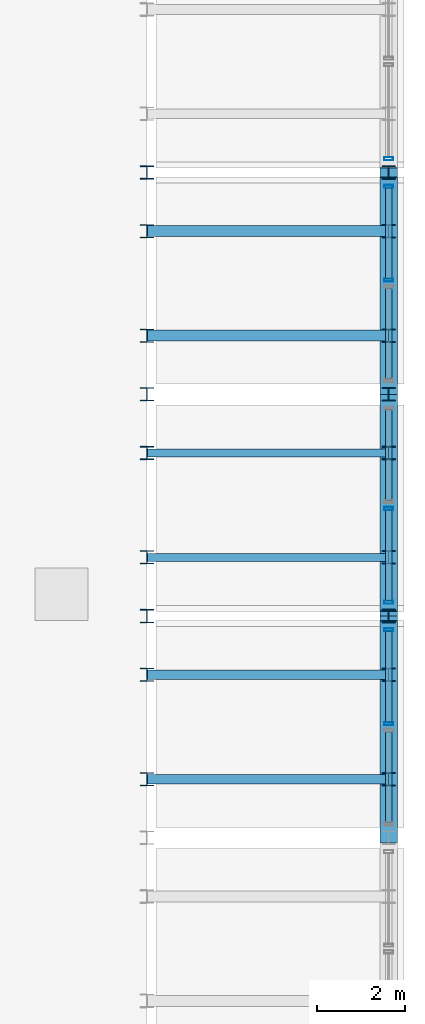
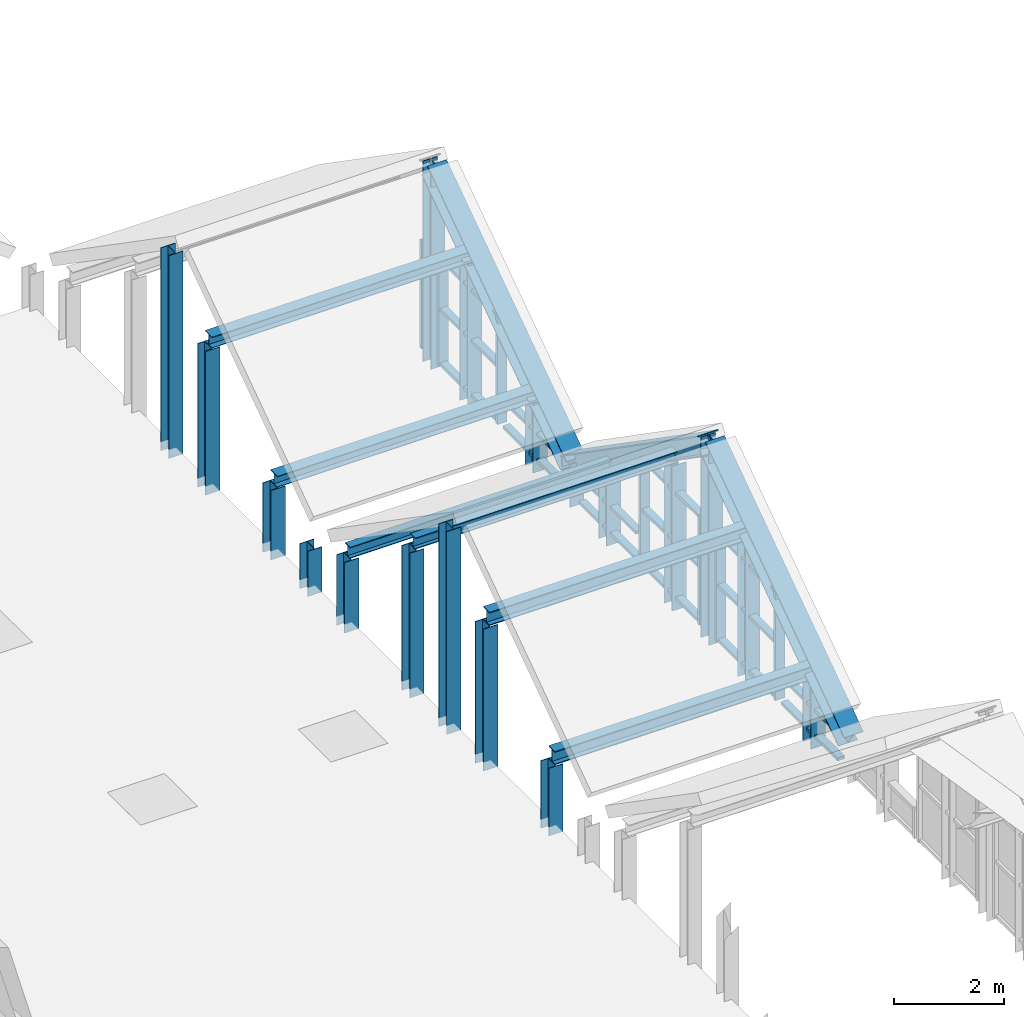
# One storey, part 7 of 21: 49 members, 7 elements without a shape of their own.
"""IFC4 building model written with IfcOpenShell, lengths in metres."""

from ifc_helpers import new_model, si_unit, direction, frame, origin, origin_2d, place, context, subcontext, project, spatial, hollow_rectangle, i_section, extrude, source, transform, mapped, material, layer, layer_set, material_profile, profile_set, type_object, element, aggregate, save


model = new_model("IFC4")

# Units and contexts
model_context = context("Model", 3, precision=1e-05, world=origin(), true_north=direction((0.0, 1.0)))
body_context = subcontext(model_context, "Body", "Model", "MODEL_VIEW")
ifc_project = project(units=[si_unit("LENGTHUNIT", "METRE"), si_unit("AREAUNIT", "SQUARE_METRE"), si_unit("VOLUMEUNIT", "CUBIC_METRE"), si_unit("PLANEANGLEUNIT", "RADIAN"), si_unit("MASSUNIT", "GRAM", prefix="KILO")], contexts=[model_context])

# Site, building, storey
site_placement = place(None, origin())
site = spatial("IfcSite", under=ifc_project, at=site_placement, CompositionType="ELEMENT")
building_placement = place(site_placement, origin())
building = spatial("IfcBuilding", under=site, at=building_placement, Name="Saelheon Loggia Tower", CompositionType="ELEMENT")
storey_placement = place(building_placement, frame((0.0, 0.0, 275.0)))
storey = spatial("IfcBuildingStorey", under=building, at=storey_placement, Name="ROOF", CompositionType="ELEMENT", Elevation=275.0)

# Members
ifc_material_1 = material(Name="Steel SM355", Category="steel")
ifc_material_profile_1 = material_profile(ifc_material_1, i_section(OverallWidth=0.300048828125, OverallDepth=0.300048828125, WebThickness=0.010009765625, FlangeThickness=0.014892578125, at=origin_2d()), Name="H-300x300x10x15")
ifc_profile_set_1 = profile_set([ifc_material_profile_1], Name="Steel SM355")
member_type_1 = type_object("IfcMemberType", Name="WaveCrest_Post_H300", PredefinedType="POST", material=ifc_profile_set_1)
shared_shape_1 = source(origin(), body_context, "Body", "SweptSolid", [
    extrude(i_section(OverallWidth=0.300048828125, OverallDepth=0.300048828125, WebThickness=0.010009765625, FlangeThickness=0.014892578125, at=origin_2d()), origin(), (0.0, 0.0, 1.0), 0.949951171875),
])
member_1_placement = place(storey_placement, frame((52.64990234375, 32.050048828125, -0.14990234375), z_axis=(0.0, 0.0, 1.0), x_axis=(1.0, 0.0, 0.0)))
element("IfcMember", 1, at=member_1_placement, inside=storey, type_object=member_type_1, Name="ROOF Wave Crest Outer Post E 04", PredefinedType="POST", context=body_context, shape_type="MappedRepresentation", body=[
    mapped(shared_shape_1, transform((0.0, 0.0, 0.0), scale=1.0)),
])
ifc_material_profile_2 = material_profile(ifc_material_1, i_section(OverallWidth=0.300048828125, OverallDepth=0.300048828125, WebThickness=0.010009765625, FlangeThickness=0.014892578125, at=origin_2d()), Name="H-300x300x10x15")
ifc_profile_set_2 = profile_set([ifc_material_profile_2], Name="Steel SM355")
member_type_2 = type_object("IfcMemberType", Name="Belt_Post_H300", PredefinedType="POST", material=ifc_profile_set_2)
shared_shape_2 = source(origin(), body_context, "Body", "SweptSolid", [
    extrude(i_section(OverallWidth=0.300048828125, OverallDepth=0.300048828125, WebThickness=0.010009765625, FlangeThickness=0.014892578125, at=origin_2d()), origin(), (0.0, 0.0, 1.0), 1.0),
])
member_2_placement = place(storey_placement, frame((47.14990234375, 32.050048828125, -0.199951171875), z_axis=(0.0, 0.0, 1.0), x_axis=(1.0, 0.0, 0.0)))
element("IfcMember", 2, at=member_2_placement, inside=storey, type_object=member_type_2, Name="ROOF Wave Crest Inner Post E 04", PredefinedType="POST", context=body_context, shape_type="MappedRepresentation", body=[
    mapped(shared_shape_2, transform((0.0, 0.0, 0.0), scale=1.0)),
])
shared_shape_3 = source(origin(), body_context, "Body", "SweptSolid", [
    extrude(i_section(OverallWidth=0.300048828125, OverallDepth=0.300048828125, WebThickness=0.010009765625, FlangeThickness=0.014892578125, at=origin_2d()), origin(), (0.0, 0.0, 1.0), 4.449951171875),
])
for number, where, z_axis, x_axis, name in (
    (3, (52.64990234375, 27.0, -0.14990234375), (0.0, 0.0, 1.0), (1.0, 0.0, 0.0), "ROOF Wave Crest Outer Post E 03"),
    (4, (52.64990234375, 37.10009765625, -0.14990234375), (0.0, 0.0, 1.0), (1.0, 0.0, 0.0), "ROOF Wave Crest Outer Post E 05"),
):
    element("IfcMember", number, at=place(storey_placement, frame(where, z_axis=z_axis, x_axis=x_axis)), inside=storey, type_object=member_type_1, Name=name, PredefinedType="POST", context=body_context, shape_type="MappedRepresentation", body=[
        mapped(shared_shape_3, transform((0.0, 0.0, 0.0), scale=1.0)),
    ])
shared_shape_4 = source(origin(), body_context, "Body", "SweptSolid", [
    extrude(i_section(OverallWidth=0.300048828125, OverallDepth=0.300048828125, WebThickness=0.010009765625, FlangeThickness=0.014892578125, at=origin_2d()), origin(), (0.0, 0.0, 1.0), 4.5),
])
for number, where, z_axis, x_axis, name in (
    (5, (47.14990234375, 27.0, -0.199951171875), (0.0, 0.0, 1.0), (1.0, 0.0, 0.0), "ROOF Wave Crest Inner Post E 03"),
    (6, (47.14990234375, 37.10009765625, -0.199951171875), (0.0, 0.0, 1.0), (1.0, 0.0, 0.0), "ROOF Wave Crest Inner Post E 05"),
):
    element("IfcMember", number, at=place(storey_placement, frame(where, z_axis=z_axis, x_axis=x_axis)), inside=storey, type_object=member_type_2, Name=name, PredefinedType="POST", context=body_context, shape_type="MappedRepresentation", body=[
        mapped(shared_shape_4, transform((0.0, 0.0, 0.0), scale=1.0)),
    ])
ifc_material_profile_3 = material_profile(ifc_material_1, i_section(OverallWidth=0.179931640625, OverallDepth=0.25, WebThickness=0.010009765625, FlangeThickness=0.01611328125, at=origin_2d()), Name="H-250x180x10x16")
ifc_profile_set_3 = profile_set([ifc_material_profile_3], Name="Steel SM355")
member_type_3 = type_object("IfcMemberType", Name="Roof_Purlin_RHS250", PredefinedType="PURLIN", material=ifc_profile_set_3)
shared_shape_5 = source(origin(), body_context, "Body", "SweptSolid", [
    extrude(i_section(OverallWidth=0.179931640625, OverallDepth=0.25, WebThickness=0.010009765625, FlangeThickness=0.01611328125, at=origin_2d()), origin(), (0.0, 0.0, 1.0), 5.5),
])
for number, where, z_axis, x_axis, name in (
    (7, (52.64990234375, 28.3369140625, 3.135986328125), (-1.0, 0.0, 0.0), (0.0, -1.0, 0.0), "Crown Wave Roof Purlin 10 A"),
    (8, (52.64990234375, 30.713134765625, 1.489013671875), (-1.0, 0.0, 0.0), (0.0, -1.0, 0.0), "Crown Wave Roof Purlin 10 B"),
):
    element("IfcMember", number, at=place(storey_placement, frame(where, z_axis=z_axis, x_axis=x_axis)), inside=storey, type_object=member_type_3, Name=name, PredefinedType="PURLIN", context=body_context, shape_type="MappedRepresentation", body=[
        mapped(shared_shape_5, transform((0.0, 0.0, 0.0), scale=1.0)),
    ])
shared_shape_6 = source(origin(), body_context, "Body", "SweptSolid", [
    extrude(i_section(OverallWidth=0.300048828125, OverallDepth=0.300048828125, WebThickness=0.010009765625, FlangeThickness=0.014892578125, at=origin_2d()), origin(), (0.0, 0.0, 1.0), 1.56396484375),
])
for number, where, z_axis, x_axis, name in (
    (9, (52.64990234375, 30.713134765625, -0.199951171875), (0.0, 0.0, 1.0), (1.0, 0.0, 0.0), "Crown Wave Roof Purlin Support Post 10 B O"),
    (10, (47.14990234375, 30.713134765625, -0.199951171875), (0.0, 0.0, 1.0), (1.0, 0.0, 0.0), "Crown Wave Roof Purlin Support Post 10 B I"),
):
    element("IfcMember", number, at=place(storey_placement, frame(where, z_axis=z_axis, x_axis=x_axis)), inside=storey, type_object=member_type_2, Name=name, PredefinedType="POST", context=body_context, shape_type="MappedRepresentation", body=[
        mapped(shared_shape_6, transform((0.0, 0.0, 0.0), scale=1.0)),
    ])
shared_shape_7 = source(origin(), body_context, "Body", "SweptSolid", [
    extrude(i_section(OverallWidth=0.300048828125, OverallDepth=0.300048828125, WebThickness=0.010009765625, FlangeThickness=0.014892578125, at=origin_2d()), origin(), (0.0, 0.0, 1.0), 3.2109375),
])
for number, where, z_axis, x_axis, name in (
    (11, (52.64990234375, 28.3369140625, -0.199951171875), (0.0, 0.0, 1.0), (1.0, 0.0, 0.0), "Crown Wave Roof Purlin Support Post 10 A O"),
    (12, (47.14990234375, 28.3369140625, -0.199951171875), (0.0, 0.0, 1.0), (1.0, 0.0, 0.0), "Crown Wave Roof Purlin Support Post 10 A I"),
):
    element("IfcMember", number, at=place(storey_placement, frame(where, z_axis=z_axis, x_axis=x_axis)), inside=storey, type_object=member_type_2, Name=name, PredefinedType="POST", context=body_context, shape_type="MappedRepresentation", body=[
        mapped(shared_shape_7, transform((0.0, 0.0, 0.0), scale=1.0)),
    ])
ifc_material_profile_4 = material_profile(ifc_material_1, i_section(OverallWidth=0.25, OverallDepth=0.25, WebThickness=0.009033203125, FlangeThickness=0.013916015625, at=origin_2d()), Name="H-250x250x9x14")
ifc_profile_set_4 = profile_set([ifc_material_profile_4], Name="Steel SM355")
member_type_4 = type_object("IfcMemberType", Name="Roof_Purlin_H250", PredefinedType="PURLIN", material=ifc_profile_set_4)
shared_shape_8 = source(origin(), body_context, "Body", "SweptSolid", [
    extrude(i_section(OverallWidth=0.25, OverallDepth=0.25, WebThickness=0.009033203125, FlangeThickness=0.013916015625, at=origin_2d()), origin(), (0.0, 0.0, 1.0), 5.5),
])
for number, where, z_axis, x_axis, name in (
    (13, (52.64990234375, 33.38671875, 1.46484375), (-1.0, 0.0, 0.0), (0.0, -1.0, 0.0), "Crown Wave Roof Purlin 11 A"),
    (14, (52.64990234375, 35.76318359375, 3.11181640625), (-1.0, 0.0, 0.0), (0.0, -1.0, 0.0), "Crown Wave Roof Purlin 11 B"),
):
    element("IfcMember", number, at=place(storey_placement, frame(where, z_axis=z_axis, x_axis=x_axis)), inside=storey, type_object=member_type_4, Name=name, PredefinedType="PURLIN", context=body_context, shape_type="MappedRepresentation", body=[
        mapped(shared_shape_8, transform((0.0, 0.0, 0.0), scale=1.0)),
    ])
shared_shape_9 = source(origin(), body_context, "Body", "SweptSolid", [
    extrude(i_section(OverallWidth=0.300048828125, OverallDepth=0.300048828125, WebThickness=0.010009765625, FlangeThickness=0.014892578125, at=origin_2d()), origin(), (0.0, 0.0, 1.0), 3.186767578125),
])
for number, where, z_axis, x_axis, name in (
    (15, (52.64990234375, 35.76318359375, -0.199951171875), (0.0, 0.0, 1.0), (1.0, 0.0, 0.0), "Crown Wave Roof Purlin Support Post 11 B O"),
    (16, (47.14990234375, 35.76318359375, -0.199951171875), (0.0, 0.0, 1.0), (1.0, 0.0, 0.0), "Crown Wave Roof Purlin Support Post 11 B I"),
):
    element("IfcMember", number, at=place(storey_placement, frame(where, z_axis=z_axis, x_axis=x_axis)), inside=storey, type_object=member_type_2, Name=name, PredefinedType="POST", context=body_context, shape_type="MappedRepresentation", body=[
        mapped(shared_shape_9, transform((0.0, 0.0, 0.0), scale=1.0)),
    ])
shared_shape_10 = source(origin(), body_context, "Body", "SweptSolid", [
    extrude(i_section(OverallWidth=0.300048828125, OverallDepth=0.300048828125, WebThickness=0.010009765625, FlangeThickness=0.014892578125, at=origin_2d()), origin(), (0.0, 0.0, 1.0), 1.539794921875),
])
for number, where, z_axis, x_axis, name in (
    (17, (52.64990234375, 33.38671875, -0.199951171875), (0.0, 0.0, 1.0), (1.0, 0.0, 0.0), "Crown Wave Roof Purlin Support Post 11 A O"),
    (18, (47.14990234375, 33.38671875, -0.199951171875), (0.0, 0.0, 1.0), (1.0, 0.0, 0.0), "Crown Wave Roof Purlin Support Post 11 A I"),
):
    element("IfcMember", number, at=place(storey_placement, frame(where, z_axis=z_axis, x_axis=x_axis)), inside=storey, type_object=member_type_2, Name=name, PredefinedType="POST", context=body_context, shape_type="MappedRepresentation", body=[
        mapped(shared_shape_10, transform((0.0, 0.0, 0.0), scale=1.0)),
    ])
ifc_material_profile_5 = material_profile(ifc_material_1, i_section(OverallWidth=0.219970703125, OverallDepth=0.300048828125, WebThickness=0.011962890625, FlangeThickness=0.02001953125, at=origin_2d()), Name="H-300x220x12x20")
ifc_profile_set_5 = profile_set([ifc_material_profile_5], Name="Steel SM355")
member_type_5 = type_object("IfcMemberType", Name="Roof_Purlin_RHS300", PredefinedType="PURLIN", material=ifc_profile_set_5)
shared_shape_11 = source(origin(), body_context, "Body", "SweptSolid", [
    extrude(i_section(OverallWidth=0.219970703125, OverallDepth=0.300048828125, WebThickness=0.011962890625, FlangeThickness=0.02001953125, at=origin_2d()), origin(), (0.0, 0.0, 1.0), 5.5),
])
for number, where, z_axis, x_axis, name in (
    (19, (52.64990234375, 23.286865234375, 1.4501953125), (-1.0, 0.0, 0.0), (0.0, -1.0, 0.0), "Crown Wave Roof Purlin 09 A"),
    (20, (52.64990234375, 25.6630859375, 3.097412109375), (-1.0, 0.0, 0.0), (0.0, -1.0, 0.0), "Crown Wave Roof Purlin 09 B"),
):
    element("IfcMember", number, at=place(storey_placement, frame(where, z_axis=z_axis, x_axis=x_axis)), inside=storey, type_object=member_type_5, Name=name, PredefinedType="PURLIN", context=body_context, shape_type="MappedRepresentation", body=[
        mapped(shared_shape_11, transform((0.0, 0.0, 0.0), scale=1.0)),
    ])
shared_shape_12 = source(origin(), body_context, "Body", "SweptSolid", [
    extrude(i_section(OverallWidth=0.300048828125, OverallDepth=0.300048828125, WebThickness=0.010009765625, FlangeThickness=0.014892578125, at=origin_2d()), origin(), (0.0, 0.0, 1.0), 1.500244140625),
])
for number, where, z_axis, x_axis, name in (
    (21, (52.64990234375, 23.286865234375, -0.199951171875), (0.0, 0.0, 1.0), (1.0, 0.0, 0.0), "Crown Wave Roof Purlin Support Post 09 A O"),
    (22, (47.14990234375, 23.286865234375, -0.199951171875), (0.0, 0.0, 1.0), (1.0, 0.0, 0.0), "Crown Wave Roof Purlin Support Post 09 A I"),
):
    element("IfcMember", number, at=place(storey_placement, frame(where, z_axis=z_axis, x_axis=x_axis)), inside=storey, type_object=member_type_2, Name=name, PredefinedType="POST", context=body_context, shape_type="MappedRepresentation", body=[
        mapped(shared_shape_12, transform((0.0, 0.0, 0.0), scale=1.0)),
    ])
shared_shape_13 = source(origin(), body_context, "Body", "SweptSolid", [
    extrude(i_section(OverallWidth=0.300048828125, OverallDepth=0.300048828125, WebThickness=0.010009765625, FlangeThickness=0.014892578125, at=origin_2d()), origin(), (0.0, 0.0, 1.0), 3.147216796875),
])
for number, where, z_axis, x_axis, name in (
    (23, (52.64990234375, 25.6630859375, -0.199951171875), (0.0, 0.0, 1.0), (1.0, 0.0, 0.0), "Crown Wave Roof Purlin Support Post 09 B O"),
    (24, (47.14990234375, 25.6630859375, -0.199951171875), (0.0, 0.0, 1.0), (1.0, 0.0, 0.0), "Crown Wave Roof Purlin Support Post 09 B I"),
):
    element("IfcMember", number, at=place(storey_placement, frame(where, z_axis=z_axis, x_axis=x_axis)), inside=storey, type_object=member_type_2, Name=name, PredefinedType="POST", context=body_context, shape_type="MappedRepresentation", body=[
        mapped(shared_shape_13, transform((0.0, 0.0, 0.0), scale=1.0)),
    ])
ifc_material_profile_6 = material_profile(ifc_material_1, i_section(OverallWidth=0.39990234375, OverallDepth=0.39990234375, WebThickness=0.012939453125, FlangeThickness=0.02099609375, at=origin_2d()), Name="H-400x400x13x21")
ifc_profile_set_6 = profile_set([ifc_material_profile_6], Name="Steel SM355")
member_type_6 = type_object("IfcMemberType", Name="CrownFrame_Brace_H400", PredefinedType="BRACE", material=ifc_profile_set_6)
shared_shape_14 = source(origin(), body_context, "Body", "SweptSolid", [
    extrude(i_section(OverallWidth=0.39990234375, OverallDepth=0.39990234375, WebThickness=0.012939453125, FlangeThickness=0.02099609375, at=origin_2d()), origin(), (0.0, 0.0, 1.0), 6.144287109375),
])
for number, where, z_axis, x_axis, name in (
    (25, (52.64990234375, 21.949951171875, 0.699951171875), (0.0, 0.821901707203, 0.569629338867), (-1.0, 0.0, 0.0), "ROOF CROWN FRAME Wave Crest Cap E 03"),
    (26, (52.64990234375, 27.0, 4.199951171875), (0.0, 0.821901707203, -0.569629338867), (-1.0, 0.0, 0.0), "ROOF CROWN FRAME Wave Crest Cap E 04"),
    (27, (52.64990234375, 32.050048828125, 0.699951171875), (0.0, 0.821901707203, 0.569629338867), (-1.0, 0.0, 0.0), "ROOF CROWN FRAME Wave Crest Cap E 05"),
):
    element("IfcMember", number, at=place(storey_placement, frame(where, z_axis=z_axis, x_axis=x_axis)), inside=storey, type_object=member_type_6, Name=name, PredefinedType="BRACE", context=body_context, shape_type="MappedRepresentation", body=[
        mapped(shared_shape_14, transform((0.0, 0.0, 0.0), scale=1.0)),
    ])

# Curtain wall, members
ifc_material_2 = material(Name="Bronze-Anodised Aluminium and Fritted Ceramic Screen", Category="aluminium")
ifc_layer = layer(ifc_material_2, 0.219970703125)
ifc_layer_set = layer_set([ifc_layer], Name="Bronze-Anodised Aluminium and Fritted Ceramic Screen")
curtain_wall_type = type_object("IfcCurtainWallType", Name="CW_CrownScreen", PredefinedType="NOTDEFINED", material=ifc_layer_set)
curtain_wall_1_placement = place(storey_placement, origin())
curtain_wall_1 = element("IfcCurtainWall", 28, at=curtain_wall_1_placement, inside=storey, type_object=curtain_wall_type, Name="ROOF Wave Crest Curtain Wall E 03-1", PredefinedType="NOTDEFINED")
ifc_material_3 = material(Name="Bronze-Anodised Aluminium 6063-T6", Category="aluminium")
ifc_material_profile_7 = material_profile(ifc_material_3, hollow_rectangle(XDim=0.070068359375, YDim=0.14990234375, WallThickness=0.0048828125, at=origin_2d()), Name="RHS-150x70x5")
ifc_profile_set_7 = profile_set([ifc_material_profile_7], Name="Bronze-Anodised Aluminium 6063-T6")
member_type_7 = type_object("IfcMemberType", Name="CW_CrownScreen_Transom", PredefinedType="USERDEFINED", material=ifc_profile_set_7)
shared_shape_15 = source(origin(), body_context, "Body", "SweptSolid", [
    extrude(hollow_rectangle(XDim=0.070068359375, YDim=0.14990234375, WallThickness=0.0048828125, at=origin_2d()), origin(), (0.0, 0.0, 1.0), 2.06494140625),
])
member_3_placement = place(storey_placement, frame((52.64990234375, 22.300048828125, 0.054931640625), z_axis=(0.0, 1.0, 0.0), x_axis=(0.0, 0.0, 1.0)))
member_3 = element("IfcMember", 29, at=member_3_placement, type_object=member_type_7, Name="CW6 transom 1.1", ObjectType="TRANSOM", PredefinedType="USERDEFINED", context=body_context, shape_type="MappedRepresentation", body=[
    mapped(shared_shape_15, transform((0.0, 0.0, 0.0), scale=1.0)),
])
member_4_placement = place(storey_placement, frame((52.64990234375, 22.300048828125, 0.635009765625), z_axis=(0.0, 1.0, 0.0), x_axis=(0.0, 0.0, 1.0)))
member_4 = element("IfcMember", 30, at=member_4_placement, type_object=member_type_7, Name="CW6 transom 1.2", ObjectType="TRANSOM", PredefinedType="USERDEFINED", context=body_context, shape_type="MappedRepresentation", body=[
    mapped(shared_shape_15, transform((0.0, 0.0, 0.0), scale=1.0)),
])
aggregate(curtain_wall_1, [member_3, member_4])

curtain_wall_2_placement = place(storey_placement, origin())
curtain_wall_2 = element("IfcCurtainWall", 31, at=curtain_wall_2_placement, inside=storey, type_object=curtain_wall_type, Name="ROOF Wave Crest Curtain Wall E 03-2", PredefinedType="NOTDEFINED")
member_5_placement = place(storey_placement, frame((52.64990234375, 24.5849609375, 0.054931640625), z_axis=(0.0, 1.0, 0.0), x_axis=(0.0, 0.0, 1.0)))
member_5 = element("IfcMember", 32, at=member_5_placement, type_object=member_type_7, Name="CW6 transom 1.1", ObjectType="TRANSOM", PredefinedType="USERDEFINED", context=body_context, shape_type="MappedRepresentation", body=[
    mapped(shared_shape_15, transform((0.0, 0.0, 0.0), scale=1.0)),
])
member_6_placement = place(storey_placement, frame((52.64990234375, 24.5849609375, 1.27001953125), z_axis=(0.0, 1.0, 0.0), x_axis=(0.0, 0.0, 1.0)))
member_6 = element("IfcMember", 33, at=member_6_placement, type_object=member_type_7, Name="CW6 transom 1.2", ObjectType="TRANSOM", PredefinedType="USERDEFINED", context=body_context, shape_type="MappedRepresentation", body=[
    mapped(shared_shape_15, transform((0.0, 0.0, 0.0), scale=1.0)),
])
member_7_placement = place(storey_placement, frame((52.64990234375, 24.5849609375, 2.385009765625), z_axis=(0.0, 1.0, 0.0), x_axis=(0.0, 0.0, 1.0)))
member_7 = element("IfcMember", 34, at=member_7_placement, type_object=member_type_7, Name="CW6 transom 1.3", ObjectType="TRANSOM", PredefinedType="USERDEFINED", context=body_context, shape_type="MappedRepresentation", body=[
    mapped(shared_shape_15, transform((0.0, 0.0, 0.0), scale=1.0)),
])

curtain_wall_3_placement = place(storey_placement, origin())
curtain_wall_3 = element("IfcCurtainWall", 35, at=curtain_wall_3_placement, inside=storey, type_object=curtain_wall_type, Name="ROOF Wave Crest Curtain Wall E 04-1", PredefinedType="NOTDEFINED")
member_8_placement = place(storey_placement, frame((52.64990234375, 27.35009765625, 0.054931640625), z_axis=(0.0, 1.0, 0.0), x_axis=(0.0, 0.0, 1.0)))
member_8 = element("IfcMember", 36, at=member_8_placement, type_object=member_type_7, Name="CW6 transom 1.1", ObjectType="TRANSOM", PredefinedType="USERDEFINED", context=body_context, shape_type="MappedRepresentation", body=[
    mapped(shared_shape_15, transform((0.0, 0.0, 0.0), scale=1.0)),
])
member_9_placement = place(storey_placement, frame((52.64990234375, 27.35009765625, 1.27001953125), z_axis=(0.0, 1.0, 0.0), x_axis=(0.0, 0.0, 1.0)))
member_9 = element("IfcMember", 37, at=member_9_placement, type_object=member_type_7, Name="CW6 transom 1.2", ObjectType="TRANSOM", PredefinedType="USERDEFINED", context=body_context, shape_type="MappedRepresentation", body=[
    mapped(shared_shape_15, transform((0.0, 0.0, 0.0), scale=1.0)),
])
member_10_placement = place(storey_placement, frame((52.64990234375, 27.35009765625, 2.385009765625), z_axis=(0.0, 1.0, 0.0), x_axis=(0.0, 0.0, 1.0)))
member_10 = element("IfcMember", 38, at=member_10_placement, type_object=member_type_7, Name="CW6 transom 1.3", ObjectType="TRANSOM", PredefinedType="USERDEFINED", context=body_context, shape_type="MappedRepresentation", body=[
    mapped(shared_shape_15, transform((0.0, 0.0, 0.0), scale=1.0)),
])

curtain_wall_4_placement = place(storey_placement, origin())
curtain_wall_4 = element("IfcCurtainWall", 39, at=curtain_wall_4_placement, inside=storey, type_object=curtain_wall_type, Name="ROOF Wave Crest Curtain Wall E 04-2", PredefinedType="NOTDEFINED")
member_11_placement = place(storey_placement, frame((52.64990234375, 29.635009765625, 0.054931640625), z_axis=(0.0, 1.0, 0.0), x_axis=(0.0, 0.0, 1.0)))
member_11 = element("IfcMember", 40, at=member_11_placement, type_object=member_type_7, Name="CW6 transom 1.1", ObjectType="TRANSOM", PredefinedType="USERDEFINED", context=body_context, shape_type="MappedRepresentation", body=[
    mapped(shared_shape_15, transform((0.0, 0.0, 0.0), scale=1.0)),
])
member_12_placement = place(storey_placement, frame((52.64990234375, 29.635009765625, 0.635009765625), z_axis=(0.0, 1.0, 0.0), x_axis=(0.0, 0.0, 1.0)))
member_12 = element("IfcMember", 41, at=member_12_placement, type_object=member_type_7, Name="CW6 transom 1.2", ObjectType="TRANSOM", PredefinedType="USERDEFINED", context=body_context, shape_type="MappedRepresentation", body=[
    mapped(shared_shape_15, transform((0.0, 0.0, 0.0), scale=1.0)),
])
aggregate(curtain_wall_4, [member_11, member_12])

curtain_wall_5_placement = place(storey_placement, origin())
curtain_wall_5 = element("IfcCurtainWall", 42, at=curtain_wall_5_placement, inside=storey, type_object=curtain_wall_type, Name="ROOF Wave Crest Curtain Wall E 05-2", PredefinedType="NOTDEFINED")
member_13_placement = place(storey_placement, frame((52.64990234375, 34.68505859375, 0.054931640625), z_axis=(0.0, 1.0, 0.0), x_axis=(0.0, 0.0, 1.0)))
member_13 = element("IfcMember", 43, at=member_13_placement, type_object=member_type_7, Name="CW6 transom 1.1", ObjectType="TRANSOM", PredefinedType="USERDEFINED", context=body_context, shape_type="MappedRepresentation", body=[
    mapped(shared_shape_15, transform((0.0, 0.0, 0.0), scale=1.0)),
])
member_14_placement = place(storey_placement, frame((52.64990234375, 34.68505859375, 1.27001953125), z_axis=(0.0, 1.0, 0.0), x_axis=(0.0, 0.0, 1.0)))
member_14 = element("IfcMember", 44, at=member_14_placement, type_object=member_type_7, Name="CW6 transom 1.2", ObjectType="TRANSOM", PredefinedType="USERDEFINED", context=body_context, shape_type="MappedRepresentation", body=[
    mapped(shared_shape_15, transform((0.0, 0.0, 0.0), scale=1.0)),
])
member_15_placement = place(storey_placement, frame((52.64990234375, 34.68505859375, 2.385009765625), z_axis=(0.0, 1.0, 0.0), x_axis=(0.0, 0.0, 1.0)))
member_15 = element("IfcMember", 45, at=member_15_placement, type_object=member_type_7, Name="CW6 transom 1.3", ObjectType="TRANSOM", PredefinedType="USERDEFINED", context=body_context, shape_type="MappedRepresentation", body=[
    mapped(shared_shape_15, transform((0.0, 0.0, 0.0), scale=1.0)),
])

# Member
ifc_material_profile_8 = material_profile(ifc_material_3, hollow_rectangle(XDim=0.070068359375, YDim=0.199951171875, WallThickness=0.0048828125, at=origin_2d()), Name="RHS-200x70x5")
ifc_profile_set_8 = profile_set([ifc_material_profile_8], Name="Bronze-Anodised Aluminium 6063-T6")
member_type_8 = type_object("IfcMemberType", Name="CW_CrownScreen_Mullion", PredefinedType="MULLION", material=ifc_profile_set_8)
shared_shape_16 = source(origin(), body_context, "Body", "SweptSolid", [
    extrude(hollow_rectangle(XDim=0.070068359375, YDim=0.199951171875, WallThickness=0.0048828125, at=origin_2d()), origin(), (0.0, 0.0, 1.0), 2.39990234375),
])
member_16_placement = place(storey_placement, frame((52.64990234375, 24.550048828125, 0.02001953125), z_axis=(0.0, 0.0, 1.0), x_axis=(0.0, 1.0, 0.0)))
member_16 = element("IfcMember", 46, at=member_16_placement, type_object=member_type_8, Name="CW6 mullion 1", PredefinedType="MULLION", context=body_context, shape_type="MappedRepresentation", body=[
    mapped(shared_shape_16, transform((0.0, 0.0, 0.0), scale=1.0)),
])

member_17_placement = place(storey_placement, frame((52.64990234375, 26.68505859375, 0.02001953125), z_axis=(0.0, 0.0, 1.0), x_axis=(0.0, 1.0, 0.0)))
member_17 = element("IfcMember", 47, at=member_17_placement, type_object=member_type_8, Name="CW6 mullion 2", PredefinedType="MULLION", context=body_context, shape_type="MappedRepresentation", body=[
    mapped(shared_shape_16, transform((0.0, 0.0, 0.0), scale=1.0)),
])

aggregate(curtain_wall_2, [member_16, member_17, member_5, member_6, member_7])

member_18_placement = place(storey_placement, frame((52.64990234375, 27.31494140625, 0.02001953125), z_axis=(0.0, 0.0, 1.0), x_axis=(0.0, 1.0, 0.0)))
member_18 = element("IfcMember", 48, at=member_18_placement, type_object=member_type_8, Name="CW6 mullion 1", PredefinedType="MULLION", context=body_context, shape_type="MappedRepresentation", body=[
    mapped(shared_shape_16, transform((0.0, 0.0, 0.0), scale=1.0)),
])

member_19_placement = place(storey_placement, frame((52.64990234375, 29.449951171875, 0.02001953125), z_axis=(0.0, 0.0, 1.0), x_axis=(0.0, 1.0, 0.0)))
member_19 = element("IfcMember", 49, at=member_19_placement, type_object=member_type_8, Name="CW6 mullion 2", PredefinedType="MULLION", context=body_context, shape_type="MappedRepresentation", body=[
    mapped(shared_shape_16, transform((0.0, 0.0, 0.0), scale=1.0)),
])

aggregate(curtain_wall_3, [member_18, member_19, member_8, member_9, member_10])

member_20_placement = place(storey_placement, frame((52.64990234375, 34.64990234375, 0.02001953125), z_axis=(0.0, 0.0, 1.0), x_axis=(0.0, 1.0, 0.0)))
member_20 = element("IfcMember", 50, at=member_20_placement, type_object=member_type_8, Name="CW6 mullion 1", PredefinedType="MULLION", context=body_context, shape_type="MappedRepresentation", body=[
    mapped(shared_shape_16, transform((0.0, 0.0, 0.0), scale=1.0)),
])

member_21_placement = place(storey_placement, frame((52.64990234375, 36.784912109375, 0.02001953125), z_axis=(0.0, 0.0, 1.0), x_axis=(0.0, 1.0, 0.0)))
member_21 = element("IfcMember", 51, at=member_21_placement, type_object=member_type_8, Name="CW6 mullion 2", PredefinedType="MULLION", context=body_context, shape_type="MappedRepresentation", body=[
    mapped(shared_shape_16, transform((0.0, 0.0, 0.0), scale=1.0)),
])

aggregate(curtain_wall_5, [member_20, member_21, member_13, member_14, member_15])

# Curtain wall, member
curtain_wall_6_placement = place(storey_placement, origin())
curtain_wall_6 = element("IfcCurtainWall", 52, at=curtain_wall_6_placement, inside=storey, type_object=curtain_wall_type, Name="ROOF Wave Crest Curtain Wall E 06-1", PredefinedType="NOTDEFINED")
member_22_placement = place(storey_placement, frame((52.64990234375, 37.4150390625, 0.02001953125), z_axis=(0.0, 0.0, 1.0), x_axis=(0.0, 1.0, 0.0)))
member_22 = element("IfcMember", 53, at=member_22_placement, type_object=member_type_8, Name="CW6 mullion 1", PredefinedType="MULLION", context=body_context, shape_type="MappedRepresentation", body=[
    mapped(shared_shape_16, transform((0.0, 0.0, 0.0), scale=1.0)),
])
aggregate(curtain_wall_6, [member_22])

# Curtain wall, members
curtain_wall_7_placement = place(storey_placement, origin())
curtain_wall_7 = element("IfcCurtainWall", 54, at=curtain_wall_7_placement, inside=storey, type_object=curtain_wall_type, Name="ROOF Wave Crest Curtain Wall E 05-1", PredefinedType="NOTDEFINED")
shared_shape_17 = source(origin(), body_context, "Body", "SweptSolid", [
    extrude(hollow_rectangle(XDim=0.070068359375, YDim=0.14990234375, WallThickness=0.0048828125, at=origin_2d()), origin(), (0.0, 0.0, 1.0), 2.065185546875),
])
member_23_placement = place(storey_placement, frame((52.64990234375, 32.39990234375, 0.054931640625), z_axis=(0.0, 1.0, 0.0), x_axis=(0.0, 0.0, 1.0)))
member_23 = element("IfcMember", 55, at=member_23_placement, type_object=member_type_7, Name="CW6 transom 1.1", ObjectType="TRANSOM", PredefinedType="USERDEFINED", context=body_context, shape_type="MappedRepresentation", body=[
    mapped(shared_shape_17, transform((0.0, 0.0, 0.0), scale=1.0)),
])
member_24_placement = place(storey_placement, frame((52.64990234375, 32.39990234375, 0.635009765625), z_axis=(0.0, 1.0, 0.0), x_axis=(0.0, 0.0, 1.0)))
member_24 = element("IfcMember", 56, at=member_24_placement, type_object=member_type_7, Name="CW6 transom 1.2", ObjectType="TRANSOM", PredefinedType="USERDEFINED", context=body_context, shape_type="MappedRepresentation", body=[
    mapped(shared_shape_17, transform((0.0, 0.0, 0.0), scale=1.0)),
])
aggregate(curtain_wall_7, [member_23, member_24])

save(model, "model.ifc")
